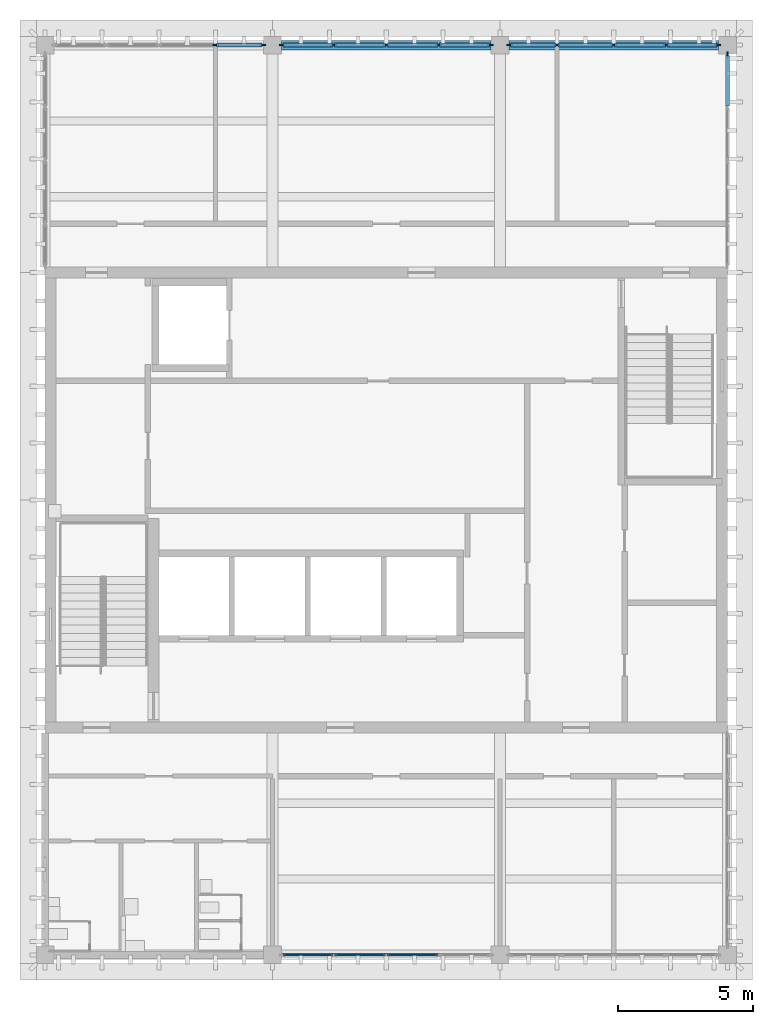
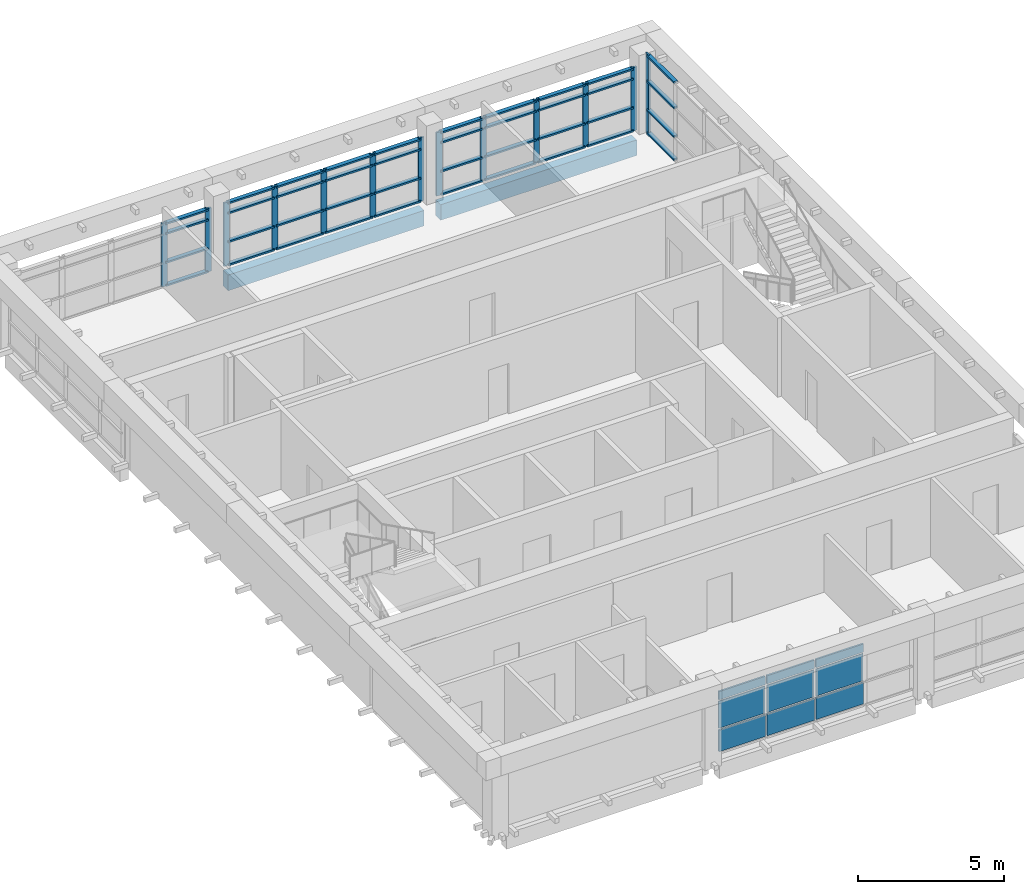
# One storey, part 3 of 10: 53 members, 9 plates, 2 beams, 5 elements without a shape of their own.
"""IFC4 building model written with IfcOpenShell, lengths in metres."""

from ifc_helpers import new_model, si_unit, direction, frame, origin, origin_2d, place, context, subcontext, project, spatial, rectangle, extrude, material, layer, layer_set, material_profile, profile_set, type_object, element, aggregate, save


model = new_model("IFC4")

# Units and contexts
model_context = context("Model", 3, precision=1e-05, world=origin(), true_north=direction((0.0, 1.0)))
body_context = subcontext(model_context, "Body", "Model", "MODEL_VIEW")
ifc_project = project(units=[si_unit("LENGTHUNIT", "METRE"), si_unit("AREAUNIT", "SQUARE_METRE"), si_unit("VOLUMEUNIT", "CUBIC_METRE"), si_unit("PLANEANGLEUNIT", "RADIAN"), si_unit("MASSUNIT", "GRAM", prefix="KILO")], contexts=[model_context])

# Site, building, storey
site_placement = place(None, origin())
site = spatial("IfcSite", under=ifc_project, at=site_placement, CompositionType="ELEMENT")
building_placement = place(site_placement, origin())
building = spatial("IfcBuilding", under=site, at=building_placement, Name="Rulbaag Community and Learning Centre", CompositionType="ELEMENT")
storey_placement = place(building_placement, frame((0.0, 0.0, 61.199951171875)))
storey = spatial("IfcBuildingStorey", under=building, at=storey_placement, Name="L16", CompositionType="ELEMENT", Elevation=61.199951171875)

# Beams
ifc_material_1 = material(Name="Concrete M40", Category="concrete")
ifc_material_profile_1 = material_profile(ifc_material_1, rectangle(XDim=0.35009765625, YDim=0.64990234375, at=origin_2d()), Name="RB350x650")
ifc_profile_set_1 = profile_set([ifc_material_profile_1], Name="Concrete M40")
beam_type = type_object("IfcBeamType", Name="B14 Tower edge beam, upper zone 350x650 Concrete M40", PredefinedType="BEAM", material=ifc_profile_set_1)
for number, where, z_axis, x_axis, name in (
    (1, (151.530029296875, 117.60009765625, -0.625), (1.0, 0.0, 0.0), (0.0, 1.0, 0.0), "BM-L16-19O-20O"),
    (2, (159.929931640625, 117.60009765625, -0.625), (1.0, 0.0, 0.0), (0.0, 1.0, 0.0), "BM-L16-20O-21O"),
):
    element("IfcBeam", number, at=place(storey_placement, frame(where, z_axis=z_axis, x_axis=x_axis)), inside=storey, type_object=beam_type, Name=name, PredefinedType="BEAM", context=body_context, shape_type="SweptSolid", body=[
        extrude(rectangle(XDim=0.35009765625, YDim=0.64990234375, at=origin_2d()), origin(), (0.0, 0.0, 1.0), 7.739990234375),
    ])

# Curtain wall, members
ifc_material_2 = material(Name="Aluminium", Category="aluminium")
ifc_layer_1 = layer(ifc_material_2, 0.14990234375)
ifc_layer_set_1 = layer_set([ifc_layer_1], Name="CW-C")
curtain_wall_type = type_object("IfcCurtainWallType", Name="CW-C", PredefinedType="USERDEFINED", material=ifc_layer_set_1)
curtain_wall_1_placement = place(storey_placement, origin())
curtain_wall_1 = element("IfcCurtainWall", 3, at=curtain_wall_1_placement, inside=storey, type_object=curtain_wall_type, Name="GC-L16-03", ObjectType="UNITISED CURTAIN WALL", PredefinedType="USERDEFINED")
ifc_material_3 = material(Name="Aluminium mullion", Category="aluminium")
ifc_material_profile_2 = material_profile(ifc_material_3, rectangle(XDim=0.070068359375, YDim=0.22509765625, at=origin_2d()), Name="AL 70x225")
ifc_profile_set_2 = profile_set([ifc_material_profile_2], Name="Aluminium mullion")
member_type_1 = type_object("IfcMemberType", Name="CW-C-MUL", PredefinedType="MULLION", material=ifc_profile_set_2)
member_1_placement = place(storey_placement, frame((149.10009765625, 117.60009765625, 0.0), z_axis=(0.0, 0.0, 1.0), x_axis=(0.0, 1.0, 0.0)))
member_1 = element("IfcMember", 4, at=member_1_placement, type_object=member_type_1, Name="GC mullion 4", PredefinedType="MULLION", context=body_context, shape_type="SweptSolid", body=[
    extrude(rectangle(XDim=0.070068359375, YDim=0.22509765625, at=origin_2d()), origin(), (0.0, 0.0, 1.0), 2.650146484375),
])
member_2_placement = place(storey_placement, frame((150.840087890625, 117.60009765625, 0.0), z_axis=(0.0, 0.0, 1.0), x_axis=(0.0, 1.0, 0.0)))
member_2 = element("IfcMember", 5, at=member_2_placement, type_object=member_type_1, Name="GC mullion 5", PredefinedType="MULLION", context=body_context, shape_type="SweptSolid", body=[
    extrude(rectangle(XDim=0.070068359375, YDim=0.22509765625, at=origin_2d()), origin(), (0.0, 0.0, 1.0), 2.650146484375),
])

curtain_wall_2_placement = place(storey_placement, origin())
curtain_wall_2 = element("IfcCurtainWall", 6, at=curtain_wall_2_placement, inside=storey, type_object=curtain_wall_type, Name="GC-L16-04", ObjectType="UNITISED CURTAIN WALL", PredefinedType="USERDEFINED")
member_3_placement = place(storey_placement, frame((151.56005859375, 117.60009765625, 0.0), z_axis=(0.0, 0.0, 1.0), x_axis=(0.0, 1.0, 0.0)))
member_3 = element("IfcMember", 7, at=member_3_placement, type_object=member_type_1, Name="GC mullion 1", PredefinedType="MULLION", context=body_context, shape_type="SweptSolid", body=[
    extrude(rectangle(XDim=0.070068359375, YDim=0.22509765625, at=origin_2d()), origin(), (0.0, 0.0, 1.0), 2.650146484375),
])
member_4_placement = place(storey_placement, frame((153.46240234375, 117.60009765625, 0.0), z_axis=(0.0, 0.0, 1.0), x_axis=(0.0, 1.0, 0.0)))
member_4 = element("IfcMember", 8, at=member_4_placement, type_object=member_type_1, Name="GC mullion 2", PredefinedType="MULLION", context=body_context, shape_type="SweptSolid", body=[
    extrude(rectangle(XDim=0.070068359375, YDim=0.22509765625, at=origin_2d()), origin(), (0.0, 0.0, 1.0), 2.650146484375),
])
member_5_placement = place(storey_placement, frame((155.39990234375, 117.60009765625, 0.0), z_axis=(0.0, 0.0, 1.0), x_axis=(0.0, 1.0, 0.0)))
member_5 = element("IfcMember", 9, at=member_5_placement, type_object=member_type_1, Name="GC mullion 3", PredefinedType="MULLION", context=body_context, shape_type="SweptSolid", body=[
    extrude(rectangle(XDim=0.070068359375, YDim=0.22509765625, at=origin_2d()), origin(), (0.0, 0.0, 1.0), 2.650146484375),
])
member_6_placement = place(storey_placement, frame((157.33740234375, 117.60009765625, 0.0), z_axis=(0.0, 0.0, 1.0), x_axis=(0.0, 1.0, 0.0)))
member_6 = element("IfcMember", 10, at=member_6_placement, type_object=member_type_1, Name="GC mullion 4", PredefinedType="MULLION", context=body_context, shape_type="SweptSolid", body=[
    extrude(rectangle(XDim=0.070068359375, YDim=0.22509765625, at=origin_2d()), origin(), (0.0, 0.0, 1.0), 2.650146484375),
])
member_7_placement = place(storey_placement, frame((159.239990234375, 117.60009765625, 0.0), z_axis=(0.0, 0.0, 1.0), x_axis=(0.0, 1.0, 0.0)))
member_7 = element("IfcMember", 11, at=member_7_placement, type_object=member_type_1, Name="GC mullion 5", PredefinedType="MULLION", context=body_context, shape_type="SweptSolid", body=[
    extrude(rectangle(XDim=0.070068359375, YDim=0.22509765625, at=origin_2d()), origin(), (0.0, 0.0, 1.0), 2.650146484375),
])

curtain_wall_3_placement = place(storey_placement, origin())
curtain_wall_3 = element("IfcCurtainWall", 12, at=curtain_wall_3_placement, inside=storey, type_object=curtain_wall_type, Name="GC-L16-05", ObjectType="UNITISED CURTAIN WALL", PredefinedType="USERDEFINED")
member_8_placement = place(storey_placement, frame((159.9599609375, 117.60009765625, 0.0), z_axis=(0.0, 0.0, 1.0), x_axis=(0.0, 1.0, 0.0)))
member_8 = element("IfcMember", 13, at=member_8_placement, type_object=member_type_1, Name="GC mullion 1", PredefinedType="MULLION", context=body_context, shape_type="SweptSolid", body=[
    extrude(rectangle(XDim=0.070068359375, YDim=0.22509765625, at=origin_2d()), origin(), (0.0, 0.0, 1.0), 2.650146484375),
])
member_9_placement = place(storey_placement, frame((161.699951171875, 117.60009765625, 0.0), z_axis=(0.0, 0.0, 1.0), x_axis=(0.0, 1.0, 0.0)))
member_9 = element("IfcMember", 14, at=member_9_placement, type_object=member_type_1, Name="GC mullion 2", PredefinedType="MULLION", context=body_context, shape_type="SweptSolid", body=[
    extrude(rectangle(XDim=0.070068359375, YDim=0.22509765625, at=origin_2d()), origin(), (0.0, 0.0, 1.0), 2.650146484375),
])
member_10_placement = place(storey_placement, frame((163.800048828125, 117.60009765625, 0.0), z_axis=(0.0, 0.0, 1.0), x_axis=(0.0, 1.0, 0.0)))
member_10 = element("IfcMember", 15, at=member_10_placement, type_object=member_type_1, Name="GC mullion 3", PredefinedType="MULLION", context=body_context, shape_type="SweptSolid", body=[
    extrude(rectangle(XDim=0.070068359375, YDim=0.22509765625, at=origin_2d()), origin(), (0.0, 0.0, 1.0), 2.650146484375),
])
member_11_placement = place(storey_placement, frame((165.737548828125, 117.60009765625, 0.0), z_axis=(0.0, 0.0, 1.0), x_axis=(0.0, 1.0, 0.0)))
member_11 = element("IfcMember", 16, at=member_11_placement, type_object=member_type_1, Name="GC mullion 4", PredefinedType="MULLION", context=body_context, shape_type="SweptSolid", body=[
    extrude(rectangle(XDim=0.070068359375, YDim=0.22509765625, at=origin_2d()), origin(), (0.0, 0.0, 1.0), 2.650146484375),
])
member_12_placement = place(storey_placement, frame((167.639892578125, 117.60009765625, 0.0), z_axis=(0.0, 0.0, 1.0), x_axis=(0.0, 1.0, 0.0)))
member_12 = element("IfcMember", 17, at=member_12_placement, type_object=member_type_1, Name="GC mullion 5", PredefinedType="MULLION", context=body_context, shape_type="SweptSolid", body=[
    extrude(rectangle(XDim=0.070068359375, YDim=0.22509765625, at=origin_2d()), origin(), (0.0, 0.0, 1.0), 2.650146484375),
])

# Curtain wall, member
curtain_wall_4_placement = place(storey_placement, origin())
curtain_wall_4 = element("IfcCurtainWall", 18, at=curtain_wall_4_placement, inside=storey, type_object=curtain_wall_type, Name="GC-L16-08", ObjectType="UNITISED CURTAIN WALL", PredefinedType="USERDEFINED")
member_13_placement = place(storey_placement, frame((168.0, 117.239990234375, 0.0), z_axis=(0.0, 0.0, 1.0), x_axis=(-1.0, 0.0, 0.0)))
member_13 = element("IfcMember", 19, at=member_13_placement, type_object=member_type_1, Name="GC mullion 5", PredefinedType="MULLION", context=body_context, shape_type="SweptSolid", body=[
    extrude(rectangle(XDim=0.070068359375, YDim=0.22509765625, at=origin_2d()), origin(), (0.0, 0.0, 1.0), 3.300048828125),
])

# Member
ifc_material_4 = material(Name="Aluminium transom", Category="aluminium")
ifc_material_profile_3 = material_profile(ifc_material_4, rectangle(XDim=0.159912109375, YDim=0.070068359375, at=origin_2d()), Name="AL 70x160 T")
ifc_profile_set_3 = profile_set([ifc_material_profile_3], Name="Aluminium transom")
member_type_2 = type_object("IfcMemberType", Name="CW-C-TRN", PredefinedType="USERDEFINED", material=ifc_profile_set_3)
member_14_placement = place(storey_placement, frame((149.135009765625, 117.60009765625, 0.03515625), z_axis=(1.0, 0.0, 0.0), x_axis=(0.0, 1.0, 0.0)))
member_14 = element("IfcMember", 20, at=member_14_placement, type_object=member_type_2, Name="GC transom 4.1", ObjectType="TRANSOM", PredefinedType="USERDEFINED", context=body_context, shape_type="SweptSolid", body=[
    extrude(rectangle(XDim=0.159912109375, YDim=0.070068359375, at=origin_2d()), origin(), (0.0, 0.0, 1.0), 1.669921875),
])

member_15_placement = place(storey_placement, frame((149.135009765625, 117.60009765625, 1.0), z_axis=(1.0, 0.0, 0.0), x_axis=(0.0, 1.0, 0.0)))
member_15 = element("IfcMember", 21, at=member_15_placement, type_object=member_type_2, Name="GC transom 4.2", ObjectType="TRANSOM", PredefinedType="USERDEFINED", context=body_context, shape_type="SweptSolid", body=[
    extrude(rectangle(XDim=0.159912109375, YDim=0.070068359375, at=origin_2d()), origin(), (0.0, 0.0, 1.0), 1.669921875),
])

member_16_placement = place(storey_placement, frame((149.135009765625, 117.60009765625, 2.199951171875), z_axis=(1.0, 0.0, 0.0), x_axis=(0.0, 1.0, 0.0)))
member_16 = element("IfcMember", 22, at=member_16_placement, type_object=member_type_2, Name="GC transom 4.3", ObjectType="TRANSOM", PredefinedType="USERDEFINED", context=body_context, shape_type="SweptSolid", body=[
    extrude(rectangle(XDim=0.159912109375, YDim=0.070068359375, at=origin_2d()), origin(), (0.0, 0.0, 1.0), 1.669921875),
])

member_17_placement = place(storey_placement, frame((149.135009765625, 117.60009765625, 2.614990234375), z_axis=(1.0, 0.0, 0.0), x_axis=(0.0, 1.0, 0.0)))
member_17 = element("IfcMember", 23, at=member_17_placement, type_object=member_type_2, Name="GC transom 4.4", ObjectType="TRANSOM", PredefinedType="USERDEFINED", context=body_context, shape_type="SweptSolid", body=[
    extrude(rectangle(XDim=0.159912109375, YDim=0.070068359375, at=origin_2d()), origin(), (0.0, 0.0, 1.0), 1.669921875),
])

aggregate(curtain_wall_1, [member_1, member_2, member_14, member_15, member_16, member_17])

member_18_placement = place(storey_placement, frame((151.594970703125, 117.60009765625, 0.03515625), z_axis=(1.0, 0.0, 0.0), x_axis=(0.0, 1.0, 0.0)))
member_18 = element("IfcMember", 24, at=member_18_placement, type_object=member_type_2, Name="GC transom 1.1", ObjectType="TRANSOM", PredefinedType="USERDEFINED", context=body_context, shape_type="SweptSolid", body=[
    extrude(rectangle(XDim=0.159912109375, YDim=0.070068359375, at=origin_2d()), origin(), (0.0, 0.0, 1.0), 1.83251953125),
])

member_19_placement = place(storey_placement, frame((151.594970703125, 117.60009765625, 1.0), z_axis=(1.0, 0.0, 0.0), x_axis=(0.0, 1.0, 0.0)))
member_19 = element("IfcMember", 25, at=member_19_placement, type_object=member_type_2, Name="GC transom 1.2", ObjectType="TRANSOM", PredefinedType="USERDEFINED", context=body_context, shape_type="SweptSolid", body=[
    extrude(rectangle(XDim=0.159912109375, YDim=0.070068359375, at=origin_2d()), origin(), (0.0, 0.0, 1.0), 1.83251953125),
])

member_20_placement = place(storey_placement, frame((151.594970703125, 117.60009765625, 2.199951171875), z_axis=(1.0, 0.0, 0.0), x_axis=(0.0, 1.0, 0.0)))
member_20 = element("IfcMember", 26, at=member_20_placement, type_object=member_type_2, Name="GC transom 1.3", ObjectType="TRANSOM", PredefinedType="USERDEFINED", context=body_context, shape_type="SweptSolid", body=[
    extrude(rectangle(XDim=0.159912109375, YDim=0.070068359375, at=origin_2d()), origin(), (0.0, 0.0, 1.0), 1.83251953125),
])

member_21_placement = place(storey_placement, frame((151.594970703125, 117.60009765625, 2.614990234375), z_axis=(1.0, 0.0, 0.0), x_axis=(0.0, 1.0, 0.0)))
member_21 = element("IfcMember", 27, at=member_21_placement, type_object=member_type_2, Name="GC transom 1.4", ObjectType="TRANSOM", PredefinedType="USERDEFINED", context=body_context, shape_type="SweptSolid", body=[
    extrude(rectangle(XDim=0.159912109375, YDim=0.070068359375, at=origin_2d()), origin(), (0.0, 0.0, 1.0), 1.83251953125),
])

member_22_placement = place(storey_placement, frame((153.49755859375, 117.60009765625, 0.03515625), z_axis=(1.0, 0.0, 0.0), x_axis=(0.0, 1.0, 0.0)))
member_22 = element("IfcMember", 28, at=member_22_placement, type_object=member_type_2, Name="GC transom 2.1", ObjectType="TRANSOM", PredefinedType="USERDEFINED", context=body_context, shape_type="SweptSolid", body=[
    extrude(rectangle(XDim=0.159912109375, YDim=0.070068359375, at=origin_2d()), origin(), (0.0, 0.0, 1.0), 1.867431640625),
])

member_23_placement = place(storey_placement, frame((153.49755859375, 117.60009765625, 1.0), z_axis=(1.0, 0.0, 0.0), x_axis=(0.0, 1.0, 0.0)))
member_23 = element("IfcMember", 29, at=member_23_placement, type_object=member_type_2, Name="GC transom 2.2", ObjectType="TRANSOM", PredefinedType="USERDEFINED", context=body_context, shape_type="SweptSolid", body=[
    extrude(rectangle(XDim=0.159912109375, YDim=0.070068359375, at=origin_2d()), origin(), (0.0, 0.0, 1.0), 1.867431640625),
])

member_24_placement = place(storey_placement, frame((153.49755859375, 117.60009765625, 2.199951171875), z_axis=(1.0, 0.0, 0.0), x_axis=(0.0, 1.0, 0.0)))
member_24 = element("IfcMember", 30, at=member_24_placement, type_object=member_type_2, Name="GC transom 2.3", ObjectType="TRANSOM", PredefinedType="USERDEFINED", context=body_context, shape_type="SweptSolid", body=[
    extrude(rectangle(XDim=0.159912109375, YDim=0.070068359375, at=origin_2d()), origin(), (0.0, 0.0, 1.0), 1.867431640625),
])

member_25_placement = place(storey_placement, frame((153.49755859375, 117.60009765625, 2.614990234375), z_axis=(1.0, 0.0, 0.0), x_axis=(0.0, 1.0, 0.0)))
member_25 = element("IfcMember", 31, at=member_25_placement, type_object=member_type_2, Name="GC transom 2.4", ObjectType="TRANSOM", PredefinedType="USERDEFINED", context=body_context, shape_type="SweptSolid", body=[
    extrude(rectangle(XDim=0.159912109375, YDim=0.070068359375, at=origin_2d()), origin(), (0.0, 0.0, 1.0), 1.867431640625),
])

member_26_placement = place(storey_placement, frame((155.43505859375, 117.60009765625, 0.03515625), z_axis=(1.0, 0.0, 0.0), x_axis=(0.0, 1.0, 0.0)))
member_26 = element("IfcMember", 32, at=member_26_placement, type_object=member_type_2, Name="GC transom 3.1", ObjectType="TRANSOM", PredefinedType="USERDEFINED", context=body_context, shape_type="SweptSolid", body=[
    extrude(rectangle(XDim=0.159912109375, YDim=0.070068359375, at=origin_2d()), origin(), (0.0, 0.0, 1.0), 1.867431640625),
])

member_27_placement = place(storey_placement, frame((155.43505859375, 117.60009765625, 1.0), z_axis=(1.0, 0.0, 0.0), x_axis=(0.0, 1.0, 0.0)))
member_27 = element("IfcMember", 33, at=member_27_placement, type_object=member_type_2, Name="GC transom 3.2", ObjectType="TRANSOM", PredefinedType="USERDEFINED", context=body_context, shape_type="SweptSolid", body=[
    extrude(rectangle(XDim=0.159912109375, YDim=0.070068359375, at=origin_2d()), origin(), (0.0, 0.0, 1.0), 1.867431640625),
])

member_28_placement = place(storey_placement, frame((155.43505859375, 117.60009765625, 2.199951171875), z_axis=(1.0, 0.0, 0.0), x_axis=(0.0, 1.0, 0.0)))
member_28 = element("IfcMember", 34, at=member_28_placement, type_object=member_type_2, Name="GC transom 3.3", ObjectType="TRANSOM", PredefinedType="USERDEFINED", context=body_context, shape_type="SweptSolid", body=[
    extrude(rectangle(XDim=0.159912109375, YDim=0.070068359375, at=origin_2d()), origin(), (0.0, 0.0, 1.0), 1.867431640625),
])

member_29_placement = place(storey_placement, frame((155.43505859375, 117.60009765625, 2.614990234375), z_axis=(1.0, 0.0, 0.0), x_axis=(0.0, 1.0, 0.0)))
member_29 = element("IfcMember", 35, at=member_29_placement, type_object=member_type_2, Name="GC transom 3.4", ObjectType="TRANSOM", PredefinedType="USERDEFINED", context=body_context, shape_type="SweptSolid", body=[
    extrude(rectangle(XDim=0.159912109375, YDim=0.070068359375, at=origin_2d()), origin(), (0.0, 0.0, 1.0), 1.867431640625),
])

member_30_placement = place(storey_placement, frame((157.37255859375, 117.60009765625, 0.03515625), z_axis=(1.0, 0.0, 0.0), x_axis=(0.0, 1.0, 0.0)))
member_30 = element("IfcMember", 36, at=member_30_placement, type_object=member_type_2, Name="GC transom 4.1", ObjectType="TRANSOM", PredefinedType="USERDEFINED", context=body_context, shape_type="SweptSolid", body=[
    extrude(rectangle(XDim=0.159912109375, YDim=0.070068359375, at=origin_2d()), origin(), (0.0, 0.0, 1.0), 1.83251953125),
])

member_31_placement = place(storey_placement, frame((157.37255859375, 117.60009765625, 1.0), z_axis=(1.0, 0.0, 0.0), x_axis=(0.0, 1.0, 0.0)))
member_31 = element("IfcMember", 37, at=member_31_placement, type_object=member_type_2, Name="GC transom 4.2", ObjectType="TRANSOM", PredefinedType="USERDEFINED", context=body_context, shape_type="SweptSolid", body=[
    extrude(rectangle(XDim=0.159912109375, YDim=0.070068359375, at=origin_2d()), origin(), (0.0, 0.0, 1.0), 1.83251953125),
])

member_32_placement = place(storey_placement, frame((157.37255859375, 117.60009765625, 2.199951171875), z_axis=(1.0, 0.0, 0.0), x_axis=(0.0, 1.0, 0.0)))
member_32 = element("IfcMember", 38, at=member_32_placement, type_object=member_type_2, Name="GC transom 4.3", ObjectType="TRANSOM", PredefinedType="USERDEFINED", context=body_context, shape_type="SweptSolid", body=[
    extrude(rectangle(XDim=0.159912109375, YDim=0.070068359375, at=origin_2d()), origin(), (0.0, 0.0, 1.0), 1.83251953125),
])

member_33_placement = place(storey_placement, frame((157.37255859375, 117.60009765625, 2.614990234375), z_axis=(1.0, 0.0, 0.0), x_axis=(0.0, 1.0, 0.0)))
member_33 = element("IfcMember", 39, at=member_33_placement, type_object=member_type_2, Name="GC transom 4.4", ObjectType="TRANSOM", PredefinedType="USERDEFINED", context=body_context, shape_type="SweptSolid", body=[
    extrude(rectangle(XDim=0.159912109375, YDim=0.070068359375, at=origin_2d()), origin(), (0.0, 0.0, 1.0), 1.83251953125),
])

aggregate(curtain_wall_2, [member_3, member_4, member_5, member_6, member_7, member_18, member_19, member_20, member_21, member_22, member_23, member_24, member_25, member_26, member_27, member_28, member_29, member_30, member_31, member_32, member_33])

member_34_placement = place(storey_placement, frame((159.9951171875, 117.60009765625, 0.03515625), z_axis=(1.0, 0.0, 0.0), x_axis=(0.0, 1.0, 0.0)))
member_34 = element("IfcMember", 40, at=member_34_placement, type_object=member_type_2, Name="GC transom 1.1", ObjectType="TRANSOM", PredefinedType="USERDEFINED", context=body_context, shape_type="SweptSolid", body=[
    extrude(rectangle(XDim=0.159912109375, YDim=0.070068359375, at=origin_2d()), origin(), (0.0, 0.0, 1.0), 1.669921875),
])

member_35_placement = place(storey_placement, frame((159.9951171875, 117.60009765625, 1.0), z_axis=(1.0, 0.0, 0.0), x_axis=(0.0, 1.0, 0.0)))
member_35 = element("IfcMember", 41, at=member_35_placement, type_object=member_type_2, Name="GC transom 1.2", ObjectType="TRANSOM", PredefinedType="USERDEFINED", context=body_context, shape_type="SweptSolid", body=[
    extrude(rectangle(XDim=0.159912109375, YDim=0.070068359375, at=origin_2d()), origin(), (0.0, 0.0, 1.0), 1.669921875),
])

member_36_placement = place(storey_placement, frame((159.9951171875, 117.60009765625, 2.199951171875), z_axis=(1.0, 0.0, 0.0), x_axis=(0.0, 1.0, 0.0)))
member_36 = element("IfcMember", 42, at=member_36_placement, type_object=member_type_2, Name="GC transom 1.3", ObjectType="TRANSOM", PredefinedType="USERDEFINED", context=body_context, shape_type="SweptSolid", body=[
    extrude(rectangle(XDim=0.159912109375, YDim=0.070068359375, at=origin_2d()), origin(), (0.0, 0.0, 1.0), 1.669921875),
])

member_37_placement = place(storey_placement, frame((159.9951171875, 117.60009765625, 2.614990234375), z_axis=(1.0, 0.0, 0.0), x_axis=(0.0, 1.0, 0.0)))
member_37 = element("IfcMember", 43, at=member_37_placement, type_object=member_type_2, Name="GC transom 1.4", ObjectType="TRANSOM", PredefinedType="USERDEFINED", context=body_context, shape_type="SweptSolid", body=[
    extrude(rectangle(XDim=0.159912109375, YDim=0.070068359375, at=origin_2d()), origin(), (0.0, 0.0, 1.0), 1.669921875),
])

member_38_placement = place(storey_placement, frame((161.735107421875, 117.60009765625, 0.03515625), z_axis=(1.0, 0.0, 0.0), x_axis=(0.0, 1.0, 0.0)))
member_38 = element("IfcMember", 44, at=member_38_placement, type_object=member_type_2, Name="GC transom 2.1", ObjectType="TRANSOM", PredefinedType="USERDEFINED", context=body_context, shape_type="SweptSolid", body=[
    extrude(rectangle(XDim=0.159912109375, YDim=0.070068359375, at=origin_2d()), origin(), (0.0, 0.0, 1.0), 2.02978515625),
])

member_39_placement = place(storey_placement, frame((161.735107421875, 117.60009765625, 1.0), z_axis=(1.0, 0.0, 0.0), x_axis=(0.0, 1.0, 0.0)))
member_39 = element("IfcMember", 45, at=member_39_placement, type_object=member_type_2, Name="GC transom 2.2", ObjectType="TRANSOM", PredefinedType="USERDEFINED", context=body_context, shape_type="SweptSolid", body=[
    extrude(rectangle(XDim=0.159912109375, YDim=0.070068359375, at=origin_2d()), origin(), (0.0, 0.0, 1.0), 2.02978515625),
])

member_40_placement = place(storey_placement, frame((161.735107421875, 117.60009765625, 2.199951171875), z_axis=(1.0, 0.0, 0.0), x_axis=(0.0, 1.0, 0.0)))
member_40 = element("IfcMember", 46, at=member_40_placement, type_object=member_type_2, Name="GC transom 2.3", ObjectType="TRANSOM", PredefinedType="USERDEFINED", context=body_context, shape_type="SweptSolid", body=[
    extrude(rectangle(XDim=0.159912109375, YDim=0.070068359375, at=origin_2d()), origin(), (0.0, 0.0, 1.0), 2.02978515625),
])

member_41_placement = place(storey_placement, frame((161.735107421875, 117.60009765625, 2.614990234375), z_axis=(1.0, 0.0, 0.0), x_axis=(0.0, 1.0, 0.0)))
member_41 = element("IfcMember", 47, at=member_41_placement, type_object=member_type_2, Name="GC transom 2.4", ObjectType="TRANSOM", PredefinedType="USERDEFINED", context=body_context, shape_type="SweptSolid", body=[
    extrude(rectangle(XDim=0.159912109375, YDim=0.070068359375, at=origin_2d()), origin(), (0.0, 0.0, 1.0), 2.02978515625),
])

member_42_placement = place(storey_placement, frame((163.8349609375, 117.60009765625, 0.03515625), z_axis=(1.0, 0.0, 0.0), x_axis=(0.0, 1.0, 0.0)))
member_42 = element("IfcMember", 48, at=member_42_placement, type_object=member_type_2, Name="GC transom 3.1", ObjectType="TRANSOM", PredefinedType="USERDEFINED", context=body_context, shape_type="SweptSolid", body=[
    extrude(rectangle(XDim=0.159912109375, YDim=0.070068359375, at=origin_2d()), origin(), (0.0, 0.0, 1.0), 1.867431640625),
])

member_43_placement = place(storey_placement, frame((163.8349609375, 117.60009765625, 1.0), z_axis=(1.0, 0.0, 0.0), x_axis=(0.0, 1.0, 0.0)))
member_43 = element("IfcMember", 49, at=member_43_placement, type_object=member_type_2, Name="GC transom 3.2", ObjectType="TRANSOM", PredefinedType="USERDEFINED", context=body_context, shape_type="SweptSolid", body=[
    extrude(rectangle(XDim=0.159912109375, YDim=0.070068359375, at=origin_2d()), origin(), (0.0, 0.0, 1.0), 1.867431640625),
])

member_44_placement = place(storey_placement, frame((163.8349609375, 117.60009765625, 2.199951171875), z_axis=(1.0, 0.0, 0.0), x_axis=(0.0, 1.0, 0.0)))
member_44 = element("IfcMember", 50, at=member_44_placement, type_object=member_type_2, Name="GC transom 3.3", ObjectType="TRANSOM", PredefinedType="USERDEFINED", context=body_context, shape_type="SweptSolid", body=[
    extrude(rectangle(XDim=0.159912109375, YDim=0.070068359375, at=origin_2d()), origin(), (0.0, 0.0, 1.0), 1.867431640625),
])

member_45_placement = place(storey_placement, frame((163.8349609375, 117.60009765625, 2.614990234375), z_axis=(1.0, 0.0, 0.0), x_axis=(0.0, 1.0, 0.0)))
member_45 = element("IfcMember", 51, at=member_45_placement, type_object=member_type_2, Name="GC transom 3.4", ObjectType="TRANSOM", PredefinedType="USERDEFINED", context=body_context, shape_type="SweptSolid", body=[
    extrude(rectangle(XDim=0.159912109375, YDim=0.070068359375, at=origin_2d()), origin(), (0.0, 0.0, 1.0), 1.867431640625),
])

member_46_placement = place(storey_placement, frame((165.7724609375, 117.60009765625, 0.03515625), z_axis=(1.0, 0.0, 0.0), x_axis=(0.0, 1.0, 0.0)))
member_46 = element("IfcMember", 52, at=member_46_placement, type_object=member_type_2, Name="GC transom 4.1", ObjectType="TRANSOM", PredefinedType="USERDEFINED", context=body_context, shape_type="SweptSolid", body=[
    extrude(rectangle(XDim=0.159912109375, YDim=0.070068359375, at=origin_2d()), origin(), (0.0, 0.0, 1.0), 1.83251953125),
])

member_47_placement = place(storey_placement, frame((165.7724609375, 117.60009765625, 1.0), z_axis=(1.0, 0.0, 0.0), x_axis=(0.0, 1.0, 0.0)))
member_47 = element("IfcMember", 53, at=member_47_placement, type_object=member_type_2, Name="GC transom 4.2", ObjectType="TRANSOM", PredefinedType="USERDEFINED", context=body_context, shape_type="SweptSolid", body=[
    extrude(rectangle(XDim=0.159912109375, YDim=0.070068359375, at=origin_2d()), origin(), (0.0, 0.0, 1.0), 1.83251953125),
])

member_48_placement = place(storey_placement, frame((165.7724609375, 117.60009765625, 2.199951171875), z_axis=(1.0, 0.0, 0.0), x_axis=(0.0, 1.0, 0.0)))
member_48 = element("IfcMember", 54, at=member_48_placement, type_object=member_type_2, Name="GC transom 4.3", ObjectType="TRANSOM", PredefinedType="USERDEFINED", context=body_context, shape_type="SweptSolid", body=[
    extrude(rectangle(XDim=0.159912109375, YDim=0.070068359375, at=origin_2d()), origin(), (0.0, 0.0, 1.0), 1.83251953125),
])

member_49_placement = place(storey_placement, frame((165.7724609375, 117.60009765625, 2.614990234375), z_axis=(1.0, 0.0, 0.0), x_axis=(0.0, 1.0, 0.0)))
member_49 = element("IfcMember", 55, at=member_49_placement, type_object=member_type_2, Name="GC transom 4.4", ObjectType="TRANSOM", PredefinedType="USERDEFINED", context=body_context, shape_type="SweptSolid", body=[
    extrude(rectangle(XDim=0.159912109375, YDim=0.070068359375, at=origin_2d()), origin(), (0.0, 0.0, 1.0), 1.83251953125),
])

aggregate(curtain_wall_3, [member_8, member_9, member_10, member_11, member_12, member_34, member_35, member_36, member_37, member_38, member_39, member_40, member_41, member_42, member_43, member_44, member_45, member_46, member_47, member_48, member_49])

member_50_placement = place(storey_placement, frame((168.0, 115.34130859375, 0.03515625), z_axis=(0.0, 1.0, 0.0), x_axis=(-1.0, 0.0, 0.0)))
member_50 = element("IfcMember", 56, at=member_50_placement, type_object=member_type_2, Name="GC transom 4.1", ObjectType="TRANSOM", PredefinedType="USERDEFINED", context=body_context, shape_type="SweptSolid", body=[
    extrude(rectangle(XDim=0.159912109375, YDim=0.070068359375, at=origin_2d()), origin(), (0.0, 0.0, 1.0), 1.86376953125),
])

member_51_placement = place(storey_placement, frame((168.0, 115.34130859375, 1.0), z_axis=(0.0, 1.0, 0.0), x_axis=(-1.0, 0.0, 0.0)))
member_51 = element("IfcMember", 57, at=member_51_placement, type_object=member_type_2, Name="GC transom 4.2", ObjectType="TRANSOM", PredefinedType="USERDEFINED", context=body_context, shape_type="SweptSolid", body=[
    extrude(rectangle(XDim=0.159912109375, YDim=0.070068359375, at=origin_2d()), origin(), (0.0, 0.0, 1.0), 1.86376953125),
])

member_52_placement = place(storey_placement, frame((168.0, 115.34130859375, 2.199951171875), z_axis=(0.0, 1.0, 0.0), x_axis=(-1.0, 0.0, 0.0)))
member_52 = element("IfcMember", 58, at=member_52_placement, type_object=member_type_2, Name="GC transom 4.3", ObjectType="TRANSOM", PredefinedType="USERDEFINED", context=body_context, shape_type="SweptSolid", body=[
    extrude(rectangle(XDim=0.159912109375, YDim=0.070068359375, at=origin_2d()), origin(), (0.0, 0.0, 1.0), 1.86376953125),
])

member_53_placement = place(storey_placement, frame((168.0, 115.34130859375, 3.26513671875), z_axis=(0.0, 1.0, 0.0), x_axis=(-1.0, 0.0, 0.0)))
member_53 = element("IfcMember", 59, at=member_53_placement, type_object=member_type_2, Name="GC transom 4.4", ObjectType="TRANSOM", PredefinedType="USERDEFINED", context=body_context, shape_type="SweptSolid", body=[
    extrude(rectangle(XDim=0.159912109375, YDim=0.070068359375, at=origin_2d()), origin(), (0.0, 0.0, 1.0), 1.86376953125),
])

aggregate(curtain_wall_4, [member_13, member_50, member_51, member_52, member_53])

# Curtain wall, plates
curtain_wall_5_placement = place(storey_placement, origin())
curtain_wall_5 = element("IfcCurtainWall", 60, at=curtain_wall_5_placement, inside=storey, type_object=curtain_wall_type, Name="GC-L16-01", ObjectType="UNITISED CURTAIN WALL", PredefinedType="USERDEFINED")
ifc_layer_2 = layer(ifc_material_2, 0.070068359375)
ifc_layer_set_2 = layer_set([ifc_layer_2], Name="CW-C-SPN")
plate_type_1 = type_object("IfcPlateType", Name="CW-C-SPN", PredefinedType="CURTAIN_PANEL", material=ifc_layer_set_2)
plate_1_placement = place(storey_placement, frame((152.51123046875, 84.0, 0.070068359375), z_axis=(0.0, 0.0, 1.0), x_axis=(1.0, 0.0, 0.0)))
plate_1 = element("IfcPlate", 61, at=plate_1_placement, type_object=plate_type_1, Name="GC spandrel panel", PredefinedType="CURTAIN_PANEL", context=body_context, shape_type="SweptSolid", body=[
    extrude(rectangle(XDim=1.83251953125, YDim=0.070068359375, at=origin_2d()), origin(), (0.0, 0.0, 1.0), 0.89501953125),
])
plate_2_placement = place(storey_placement, frame((152.51123046875, 84.0, 2.23486328125), z_axis=(0.0, 0.0, 1.0), x_axis=(1.0, 0.0, 0.0)))
plate_2 = element("IfcPlate", 62, at=plate_2_placement, type_object=plate_type_1, Name="GC spandrel panel", PredefinedType="CURTAIN_PANEL", context=body_context, shape_type="SweptSolid", body=[
    extrude(rectangle(XDim=1.83251953125, YDim=0.070068359375, at=origin_2d()), origin(), (0.0, 0.0, 1.0), 0.344970703125),
])
plate_3_placement = place(storey_placement, frame((154.43115234375, 84.0, 0.070068359375), z_axis=(0.0, 0.0, 1.0), x_axis=(1.0, 0.0, 0.0)))
plate_3 = element("IfcPlate", 63, at=plate_3_placement, type_object=plate_type_1, Name="GC spandrel panel", PredefinedType="CURTAIN_PANEL", context=body_context, shape_type="SweptSolid", body=[
    extrude(rectangle(XDim=1.867431640625, YDim=0.070068359375, at=origin_2d()), origin(), (0.0, 0.0, 1.0), 0.89501953125),
])
plate_4_placement = place(storey_placement, frame((154.43115234375, 84.0, 2.23486328125), z_axis=(0.0, 0.0, 1.0), x_axis=(1.0, 0.0, 0.0)))
plate_4 = element("IfcPlate", 64, at=plate_4_placement, type_object=plate_type_1, Name="GC spandrel panel", PredefinedType="CURTAIN_PANEL", context=body_context, shape_type="SweptSolid", body=[
    extrude(rectangle(XDim=1.867431640625, YDim=0.070068359375, at=origin_2d()), origin(), (0.0, 0.0, 1.0), 0.344970703125),
])
plate_5_placement = place(storey_placement, frame((156.36865234375, 84.0, 0.070068359375), z_axis=(0.0, 0.0, 1.0), x_axis=(1.0, 0.0, 0.0)))
plate_5 = element("IfcPlate", 65, at=plate_5_placement, type_object=plate_type_1, Name="GC spandrel panel", PredefinedType="CURTAIN_PANEL", context=body_context, shape_type="SweptSolid", body=[
    extrude(rectangle(XDim=1.867431640625, YDim=0.070068359375, at=origin_2d()), origin(), (0.0, 0.0, 1.0), 0.89501953125),
])
plate_6_placement = place(storey_placement, frame((156.36865234375, 84.0, 2.23486328125), z_axis=(0.0, 0.0, 1.0), x_axis=(1.0, 0.0, 0.0)))
plate_6 = element("IfcPlate", 66, at=plate_6_placement, type_object=plate_type_1, Name="GC spandrel panel", PredefinedType="CURTAIN_PANEL", context=body_context, shape_type="SweptSolid", body=[
    extrude(rectangle(XDim=1.867431640625, YDim=0.070068359375, at=origin_2d()), origin(), (0.0, 0.0, 1.0), 0.344970703125),
])
ifc_material_5 = material(Name="Glass", Category="glass")
ifc_layer_3 = layer(ifc_material_5, 0.035888671875)
ifc_layer_set_3 = layer_set([ifc_layer_3], Name="CW-C-VIS")
plate_type_2 = type_object("IfcPlateType", Name="CW-C-VIS", PredefinedType="CURTAIN_PANEL", material=ifc_layer_set_3)
plate_7_placement = place(storey_placement, frame((152.51123046875, 84.0, 1.03515625), z_axis=(0.0, 0.0, 1.0), x_axis=(1.0, 0.0, 0.0)))
plate_7 = element("IfcPlate", 67, at=plate_7_placement, type_object=plate_type_2, Name="GC vision panel", PredefinedType="CURTAIN_PANEL", context=body_context, shape_type="SweptSolid", body=[
    extrude(rectangle(XDim=1.83251953125, YDim=0.035888671875, at=origin_2d()), origin(), (0.0, 0.0, 1.0), 1.1298828125),
])
plate_8_placement = place(storey_placement, frame((154.43115234375, 84.0, 1.03515625), z_axis=(0.0, 0.0, 1.0), x_axis=(1.0, 0.0, 0.0)))
plate_8 = element("IfcPlate", 68, at=plate_8_placement, type_object=plate_type_2, Name="GC vision panel", PredefinedType="CURTAIN_PANEL", context=body_context, shape_type="SweptSolid", body=[
    extrude(rectangle(XDim=1.867431640625, YDim=0.035888671875, at=origin_2d()), origin(), (0.0, 0.0, 1.0), 1.1298828125),
])
plate_9_placement = place(storey_placement, frame((156.36865234375, 84.0, 1.03515625), z_axis=(0.0, 0.0, 1.0), x_axis=(1.0, 0.0, 0.0)))
plate_9 = element("IfcPlate", 69, at=plate_9_placement, type_object=plate_type_2, Name="GC vision panel", PredefinedType="CURTAIN_PANEL", context=body_context, shape_type="SweptSolid", body=[
    extrude(rectangle(XDim=1.867431640625, YDim=0.035888671875, at=origin_2d()), origin(), (0.0, 0.0, 1.0), 1.1298828125),
])
aggregate(curtain_wall_5, [plate_1, plate_7, plate_2, plate_3, plate_8, plate_4, plate_5, plate_9, plate_6])

save(model, "model.ifc")
